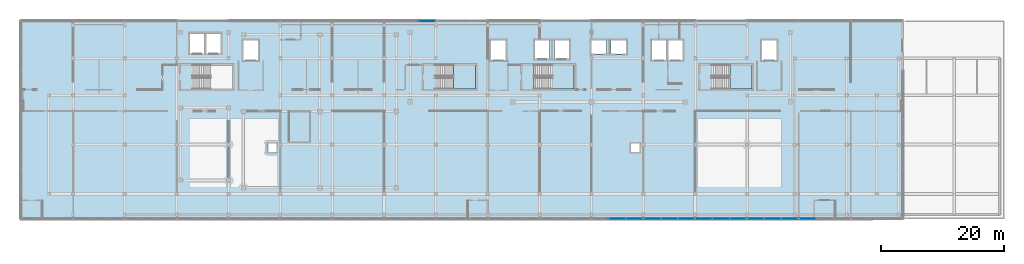
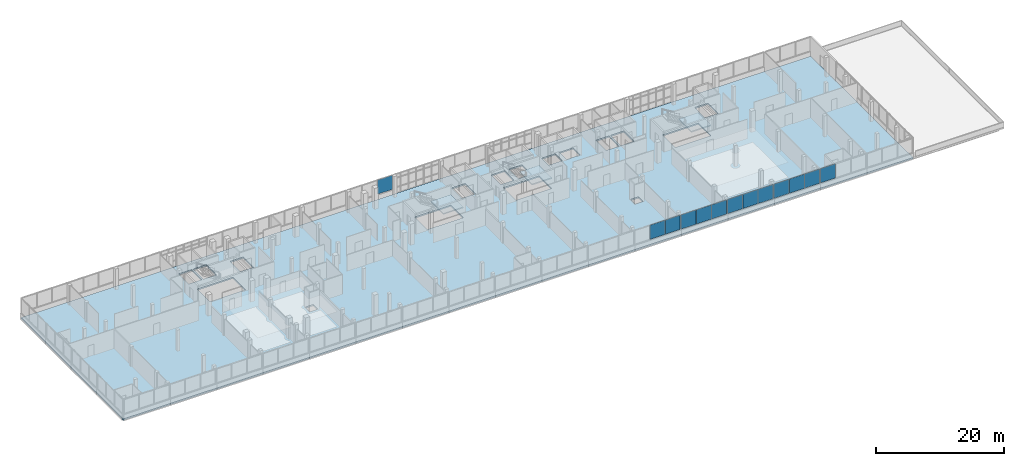
# One storey, part 52 of 66: 13 plates, 4 slabs, 9 elements without a shape of their own.
"""IFC4 building model written with IfcOpenShell, lengths in metres."""

from ifc_helpers import new_model, si_unit, direction, frame, origin, origin_2d, place, context, subcontext, project, spatial, polyline, rectangle, outline, extrude, material, layer, layer_set, type_object, element, aggregate, save


model = new_model("IFC4")

# Units and contexts
model_context = context("Model", 3, precision=1e-05, world=origin(), true_north=direction((0.0, 1.0)))
body_context = subcontext(model_context, "Body", "Model", "MODEL_VIEW")
ifc_project = project(units=[si_unit("LENGTHUNIT", "METRE"), si_unit("AREAUNIT", "SQUARE_METRE"), si_unit("VOLUMEUNIT", "CUBIC_METRE"), si_unit("PLANEANGLEUNIT", "RADIAN"), si_unit("MASSUNIT", "GRAM", prefix="KILO")], contexts=[model_context])

# Site, building, storey
site_placement = place(None, origin())
site = spatial("IfcSite", under=ifc_project, at=site_placement, CompositionType="ELEMENT")
building_placement = place(site_placement, origin())
building = spatial("IfcBuilding", under=site, at=building_placement, Name="Selatvlak General Hospital", CompositionType="ELEMENT")
storey_placement = place(building_placement, frame((0.0, 0.0, 31.35009765625)))
storey = spatial("IfcBuildingStorey", under=building, at=storey_placement, Name="L07", CompositionType="ELEMENT", Elevation=31.35009765625)

# Curtain wall, plate
ifc_material_1 = material(Name="Solar-control Low-E double glazing", Category="glass")
curtain_wall_type_1 = type_object("IfcCurtainWallType", Name="CW-CW-02", PredefinedType="USERDEFINED", material=ifc_material_1)
curtain_wall_1_placement = place(storey_placement, origin())
curtain_wall_1 = element("IfcCurtainWall", 1, at=curtain_wall_1_placement, inside=storey, type_object=curtain_wall_type_1, Name="Glazed facade curtain wall CW-L07-0650", ObjectType="UNITISED CURTAIN WALL", PredefinedType="USERDEFINED")
ifc_layer_1 = layer(ifc_material_1, 0.028076171875, Name="Solar-control Low-E double glazing", Category="glass")
ifc_layer_set_1 = layer_set([ifc_layer_1], Name="Solar-control Low-E double glazing")
plate_type = type_object("IfcPlateType", Name="CWP-01", PredefinedType="CURTAIN_PANEL", material=ifc_layer_set_1)
plate_1_placement = place(storey_placement, frame((88.58203125, 119.9990234375, 1.0048828125), z_axis=(0.0, 0.0, 1.0), x_axis=(1.0, 0.0, 0.0)))
plate_1 = element("IfcPlate", 2, at=plate_1_placement, type_object=plate_type, Name="CW-02 panel 3.1", PredefinedType="CURTAIN_PANEL", context=body_context, shape_type="SweptSolid", body=[
    extrude(rectangle(XDim=2.67578125, YDim=0.028076171875, at=origin_2d()), origin(), (0.0, 0.0, 1.0), 2.715087890625),
])
aggregate(curtain_wall_1, [plate_1])

curtain_wall_2_placement = place(storey_placement, origin())
curtain_wall_2 = element("IfcCurtainWall", 3, at=curtain_wall_2_placement, inside=storey, type_object=curtain_wall_type_1, Name="Glazed facade curtain wall CW-L07-0664", ObjectType="UNITISED CURTAIN WALL", PredefinedType="USERDEFINED")
plate_2_placement = place(storey_placement, frame((150.218017578125, 88.0009765625, 1.0048828125), z_axis=(0.0, 0.0, 1.0), x_axis=(-1.0, 0.0, 0.0)))
plate_2 = element("IfcPlate", 4, at=plate_2_placement, type_object=plate_type, Name="CW-02 panel 3.1", PredefinedType="CURTAIN_PANEL", context=body_context, shape_type="SweptSolid", body=[
    extrude(rectangle(XDim=2.67578125, YDim=0.028076171875, at=origin_2d()), origin(), (0.0, 0.0, 1.0), 2.715087890625),
])
aggregate(curtain_wall_2, [plate_2])

# Curtain wall, plates
curtain_wall_type_2 = type_object("IfcCurtainWallType", Name="CW-CW-01", PredefinedType="USERDEFINED", material=ifc_material_1)
curtain_wall_3_placement = place(storey_placement, origin())
curtain_wall_3 = element("IfcCurtainWall", 5, at=curtain_wall_3_placement, inside=storey, type_object=curtain_wall_type_2, Name="Glazed facade curtain wall CW-L07-0665", ObjectType="UNITISED CURTAIN WALL", PredefinedType="USERDEFINED")
plate_3_placement = place(storey_placement, frame((147.33203125, 88.0009765625, 1.0048828125), z_axis=(0.0, 0.0, 1.0), x_axis=(-1.0, 0.0, 0.0)))
plate_3 = element("IfcPlate", 6, at=plate_3_placement, type_object=plate_type, Name="CW-01 panel 1.1", PredefinedType="CURTAIN_PANEL", context=body_context, shape_type="SweptSolid", body=[
    extrude(rectangle(XDim=2.67578125, YDim=0.028076171875, at=origin_2d()), origin(), (0.0, 0.0, 1.0), 2.715087890625),
])
plate_4_placement = place(storey_placement, frame((144.574951171875, 88.0009765625, 1.0048828125), z_axis=(0.0, 0.0, 1.0), x_axis=(-1.0, 0.0, 0.0)))
plate_4 = element("IfcPlate", 7, at=plate_4_placement, type_object=plate_type, Name="CW-01 panel 2.1", PredefinedType="CURTAIN_PANEL", context=body_context, shape_type="SweptSolid", body=[
    extrude(rectangle(XDim=2.708251953125, YDim=0.028076171875, at=origin_2d()), origin(), (0.0, 0.0, 1.0), 2.715087890625),
])
plate_5_placement = place(storey_placement, frame((141.81787109375, 88.0009765625, 1.0048828125), z_axis=(0.0, 0.0, 1.0), x_axis=(-1.0, 0.0, 0.0)))
plate_5 = element("IfcPlate", 8, at=plate_5_placement, type_object=plate_type, Name="CW-01 panel 3.1", PredefinedType="CURTAIN_PANEL", context=body_context, shape_type="SweptSolid", body=[
    extrude(rectangle(XDim=2.67578125, YDim=0.028076171875, at=origin_2d()), origin(), (0.0, 0.0, 1.0), 2.715087890625),
])
aggregate(curtain_wall_3, [plate_3, plate_4, plate_5])

curtain_wall_4_placement = place(storey_placement, origin())
curtain_wall_4 = element("IfcCurtainWall", 9, at=curtain_wall_4_placement, inside=storey, type_object=curtain_wall_type_1, Name="Glazed facade curtain wall CW-L07-0666", ObjectType="UNITISED CURTAIN WALL", PredefinedType="USERDEFINED")
plate_6_placement = place(storey_placement, frame((138.93212890625, 88.0009765625, 1.0048828125), z_axis=(0.0, 0.0, 1.0), x_axis=(-1.0, 0.0, 0.0)))
plate_6 = element("IfcPlate", 10, at=plate_6_placement, type_object=plate_type, Name="CW-02 panel 1.1", PredefinedType="CURTAIN_PANEL", context=body_context, shape_type="SweptSolid", body=[
    extrude(rectangle(XDim=2.67578125, YDim=0.028076171875, at=origin_2d()), origin(), (0.0, 0.0, 1.0), 2.715087890625),
])
plate_7_placement = place(storey_placement, frame((136.175048828125, 88.0009765625, 1.0048828125), z_axis=(0.0, 0.0, 1.0), x_axis=(-1.0, 0.0, 0.0)))
plate_7 = element("IfcPlate", 11, at=plate_7_placement, type_object=plate_type, Name="CW-02 panel 2.1", PredefinedType="CURTAIN_PANEL", context=body_context, shape_type="SweptSolid", body=[
    extrude(rectangle(XDim=2.708251953125, YDim=0.028076171875, at=origin_2d()), origin(), (0.0, 0.0, 1.0), 2.715087890625),
])
plate_8_placement = place(storey_placement, frame((133.41796875, 88.0009765625, 1.0048828125), z_axis=(0.0, 0.0, 1.0), x_axis=(-1.0, 0.0, 0.0)))
plate_8 = element("IfcPlate", 12, at=plate_8_placement, type_object=plate_type, Name="CW-02 panel 3.1", PredefinedType="CURTAIN_PANEL", context=body_context, shape_type="SweptSolid", body=[
    extrude(rectangle(XDim=2.67578125, YDim=0.028076171875, at=origin_2d()), origin(), (0.0, 0.0, 1.0), 2.715087890625),
])
aggregate(curtain_wall_4, [plate_6, plate_7, plate_8])

curtain_wall_5_placement = place(storey_placement, origin())
curtain_wall_5 = element("IfcCurtainWall", 13, at=curtain_wall_5_placement, inside=storey, type_object=curtain_wall_type_2, Name="Glazed facade curtain wall CW-L07-0667", ObjectType="UNITISED CURTAIN WALL", PredefinedType="USERDEFINED")
plate_9_placement = place(storey_placement, frame((130.531982421875, 88.0009765625, 1.0048828125), z_axis=(0.0, 0.0, 1.0), x_axis=(-1.0, 0.0, 0.0)))
plate_9 = element("IfcPlate", 14, at=plate_9_placement, type_object=plate_type, Name="CW-01 panel 1.1", PredefinedType="CURTAIN_PANEL", context=body_context, shape_type="SweptSolid", body=[
    extrude(rectangle(XDim=2.67578125, YDim=0.028076171875, at=origin_2d()), origin(), (0.0, 0.0, 1.0), 2.715087890625),
])
plate_10_placement = place(storey_placement, frame((127.77490234375, 88.0009765625, 1.0048828125), z_axis=(0.0, 0.0, 1.0), x_axis=(-1.0, 0.0, 0.0)))
plate_10 = element("IfcPlate", 15, at=plate_10_placement, type_object=plate_type, Name="CW-01 panel 2.1", PredefinedType="CURTAIN_PANEL", context=body_context, shape_type="SweptSolid", body=[
    extrude(rectangle(XDim=2.708251953125, YDim=0.028076171875, at=origin_2d()), origin(), (0.0, 0.0, 1.0), 2.715087890625),
])
plate_11_placement = place(storey_placement, frame((125.017822265625, 88.0009765625, 1.0048828125), z_axis=(0.0, 0.0, 1.0), x_axis=(-1.0, 0.0, 0.0)))
plate_11 = element("IfcPlate", 16, at=plate_11_placement, type_object=plate_type, Name="CW-01 panel 3.1", PredefinedType="CURTAIN_PANEL", context=body_context, shape_type="SweptSolid", body=[
    extrude(rectangle(XDim=2.67578125, YDim=0.028076171875, at=origin_2d()), origin(), (0.0, 0.0, 1.0), 2.715087890625),
])
aggregate(curtain_wall_5, [plate_9, plate_10, plate_11])

curtain_wall_6_placement = place(storey_placement, origin())
curtain_wall_6 = element("IfcCurtainWall", 17, at=curtain_wall_6_placement, inside=storey, type_object=curtain_wall_type_1, Name="Glazed facade curtain wall CW-L07-0668", ObjectType="UNITISED CURTAIN WALL", PredefinedType="USERDEFINED")
plate_12_placement = place(storey_placement, frame((122.132080078125, 88.0009765625, 1.0048828125), z_axis=(0.0, 0.0, 1.0), x_axis=(-1.0, 0.0, 0.0)))
plate_12 = element("IfcPlate", 18, at=plate_12_placement, type_object=plate_type, Name="CW-02 panel 1.1", PredefinedType="CURTAIN_PANEL", context=body_context, shape_type="SweptSolid", body=[
    extrude(rectangle(XDim=2.67578125, YDim=0.028076171875, at=origin_2d()), origin(), (0.0, 0.0, 1.0), 2.715087890625),
])
plate_13_placement = place(storey_placement, frame((119.375, 88.0009765625, 1.0048828125), z_axis=(0.0, 0.0, 1.0), x_axis=(-1.0, 0.0, 0.0)))
plate_13 = element("IfcPlate", 19, at=plate_13_placement, type_object=plate_type, Name="CW-02 panel 2.1", PredefinedType="CURTAIN_PANEL", context=body_context, shape_type="SweptSolid", body=[
    extrude(rectangle(XDim=2.708251953125, YDim=0.028076171875, at=origin_2d()), origin(), (0.0, 0.0, 1.0), 2.715087890625),
])
aggregate(curtain_wall_6, [plate_12, plate_13])

# Stair, slab
ifc_material_2 = material(Name="Precast concrete C40/50", Category="concrete")
stair_type_1 = type_object("IfcStairType", Name="STAIR-ST-02", PredefinedType="HALF_TURN_STAIR", material=ifc_material_2)
stair_1_placement = place(storey_placement, origin())
stair_1 = element("IfcStair", 20, at=stair_1_placement, inside=storey, type_object=stair_type_1, Name="L07 Protected exit stair ST-02", PredefinedType="HALF_TURN_STAIR")
ifc_material_3 = material(Name="Concrete C40/50", Category="concrete")
ifc_layer_2 = layer(ifc_material_3, 0.199951171875, Name="Concrete C40/50", Category="concrete")
ifc_layer_set_2 = layer_set([ifc_layer_2], Name="Concrete C40/50")
slab_type_1 = type_object("IfcSlabType", Name="SLAB-LND1", PredefinedType="LANDING", material=ifc_layer_set_2)
slab_1_placement = place(storey_placement, frame((0.0, 0.0, 1.824951171875)))
slab_1 = element("IfcSlab", 21, at=slab_1_placement, type_object=slab_type_1, Name="ST-02 landing 1", PredefinedType="LANDING", context=body_context, shape_type="SweptSolid", body=[
    extrude(outline(polyline([(92.81494140625, 109.0), (96.39990234375, 109.0), (96.39990234375, 112.93994140625), (92.81494140625, 112.93994140625), (92.81494140625, 109.0)])), origin(), (0.0, 0.0, 1.0), 0.199951171875),
])
aggregate(stair_1, [slab_1])

stair_type_2 = type_object("IfcStairType", Name="STAIR-ST-03", PredefinedType="HALF_TURN_STAIR", material=ifc_material_2)
stair_2_placement = place(storey_placement, origin())
stair_2 = element("IfcStair", 22, at=stair_2_placement, inside=storey, type_object=stair_type_2, Name="L07 Protected exit stair ST-03", PredefinedType="HALF_TURN_STAIR")
slab_2_placement = place(storey_placement, frame((0.0, 0.0, 1.824951171875)))
slab_2 = element("IfcSlab", 23, at=slab_2_placement, type_object=slab_type_1, Name="ST-03 landing 1", PredefinedType="LANDING", context=body_context, shape_type="SweptSolid", body=[
    extrude(outline(polyline([(108.81494140625, 109.0), (112.39990234375, 109.0), (112.39990234375, 112.93994140625), (108.81494140625, 112.93994140625), (108.81494140625, 109.0)])), origin(), (0.0, 0.0, 1.0), 0.199951171875),
])
aggregate(stair_2, [slab_2])

stair_type_3 = type_object("IfcStairType", Name="STAIR-ST-04", PredefinedType="HALF_TURN_STAIR", material=ifc_material_2)
stair_3_placement = place(storey_placement, origin())
stair_3 = element("IfcStair", 24, at=stair_3_placement, inside=storey, type_object=stair_type_3, Name="L07 Protected exit stair ST-04", PredefinedType="HALF_TURN_STAIR")
slab_3_placement = place(storey_placement, frame((0.0, 0.0, 1.824951171875)))
slab_3 = element("IfcSlab", 25, at=slab_3_placement, type_object=slab_type_1, Name="ST-04 landing 1", PredefinedType="LANDING", context=body_context, shape_type="SweptSolid", body=[
    extrude(outline(polyline([(137.614990234375, 109.0), (141.199951171875, 109.0), (141.199951171875, 112.93994140625), (137.614990234375, 112.93994140625), (137.614990234375, 109.0)])), origin(), (0.0, 0.0, 1.0), 0.199951171875),
])
aggregate(stair_3, [slab_3])

# Slab
ifc_layer_3 = layer(ifc_material_3, 0.27001953125, Name="Concrete C40/50", Category="concrete")
ifc_layer_set_3 = layer_set([ifc_layer_3], Name="Concrete C40/50")
slab_type_2 = type_object("IfcSlabType", Name="SLAB-SL-FL7", PredefinedType="FLOOR", material=ifc_layer_set_3)
slab_4_placement = place(storey_placement, frame((0.0, 0.0, -0.27001953125)))
element("IfcSlab", 26, at=slab_4_placement, inside=storey, type_object=slab_type_2, Name="L07 V5N structural slab", PredefinedType="FLOOR", context=body_context, shape_type="SweptSolid", body=[
    extrude(outline(polyline([(22.800048828125, 88.0), (22.800048828125, 120.0), (165.60009765625, 120.0), (165.60009765625, 88.0), (22.800048828125, 88.0)]), holes=[polyline([(57.050048828125, 109.0), (57.050048828125, 112.93994140625), (50.554931640625, 112.93994140625), (50.554931640625, 109.0), (57.050048828125, 109.0)]), polyline([(89.905029296875, 109.0), (96.39990234375, 109.0), (96.39990234375, 112.93994140625), (89.905029296875, 112.93994140625), (89.905029296875, 109.0)]), polyline([(105.905029296875, 112.93994140625), (105.905029296875, 109.0), (112.39990234375, 109.0), (112.39990234375, 112.93994140625), (105.905029296875, 112.93994140625)]), polyline([(141.199951171875, 112.93994140625), (134.705078125, 112.93994140625), (134.705078125, 109.0), (141.199951171875, 109.0), (141.199951171875, 112.93994140625)]), polyline([(61.199951171875, 116.89990234375), (58.800048828125, 116.89990234375), (58.800048828125, 113.699951171875), (61.199951171875, 113.699951171875), (61.199951171875, 116.89990234375)]), polyline([(101.300048828125, 113.699951171875), (101.300048828125, 116.89990234375), (98.89990234375, 116.89990234375), (98.89990234375, 113.699951171875), (101.300048828125, 113.699951171875)]), polyline([(142.800048828125, 113.699951171875), (145.199951171875, 113.699951171875), (145.199951171875, 116.89990234375), (142.800048828125, 116.89990234375), (142.800048828125, 113.699951171875)]), polyline([(50.10009765625, 118.0), (50.10009765625, 114.800048828125), (52.5, 114.800048828125), (52.5, 118.0), (50.10009765625, 118.0)]), polyline([(55.14990234375, 118.0), (52.75, 118.0), (52.75, 114.800048828125), (55.14990234375, 114.800048828125), (55.14990234375, 118.0)]), polyline([(127.35009765625, 113.699951171875), (127.35009765625, 116.89990234375), (124.949951171875, 116.89990234375), (124.949951171875, 113.699951171875), (127.35009765625, 113.699951171875)]), polyline([(127.60009765625, 113.699951171875), (130.0, 113.699951171875), (130.0, 116.89990234375), (127.60009765625, 116.89990234375), (127.60009765625, 113.699951171875)]), polyline([(115.199951171875, 116.89990234375), (115.199951171875, 114.699951171875), (117.60009765625, 114.699951171875), (117.60009765625, 116.89990234375), (115.199951171875, 116.89990234375)]), polyline([(120.800048828125, 116.89990234375), (118.39990234375, 116.89990234375), (118.39990234375, 114.699951171875), (120.800048828125, 114.699951171875), (120.800048828125, 116.89990234375)]), polyline([(108.39990234375, 113.89990234375), (108.39990234375, 116.89990234375), (106.0, 116.89990234375), (106.0, 113.89990234375), (108.39990234375, 113.89990234375)]), polyline([(109.199951171875, 113.89990234375), (111.60009765625, 113.89990234375), (111.60009765625, 116.89990234375), (109.199951171875, 116.89990234375), (109.199951171875, 113.89990234375)]), polyline([(62.800048828125, 100.199951171875), (62.800048828125, 98.800048828125), (64.199951171875, 98.800048828125), (64.199951171875, 100.199951171875), (62.800048828125, 100.199951171875)]), polyline([(123.0, 100.199951171875), (121.60009765625, 100.199951171875), (121.60009765625, 98.800048828125), (123.0, 98.800048828125), (123.0, 100.199951171875)])]), origin(), (0.0, 0.0, 1.0), 0.27001953125),
])

save(model, "model.ifc")
